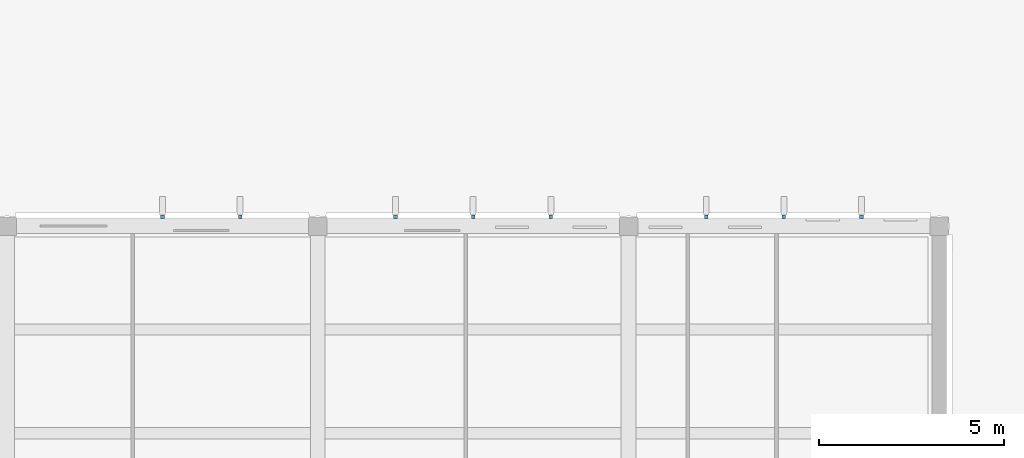
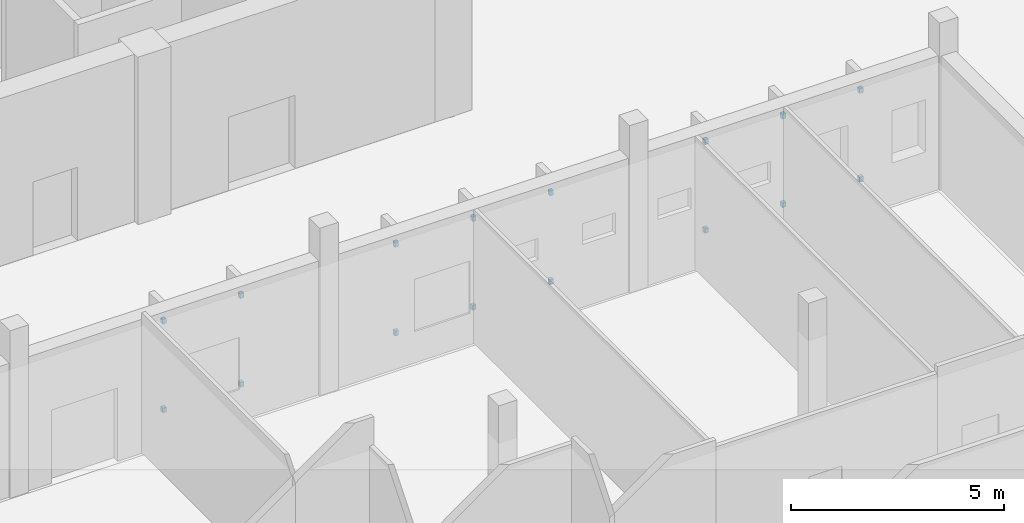
# One storey, part 73 of 110: 16 discrete accessories.
"""IFC4 building model written with IfcOpenShell, lengths in metres."""

import ifcopenshell
import ifcopenshell.guid

model = None  # the IFC model being written
_history = None  # IfcOwnerHistory: only IFC2X3 demands one
_inside = {}  # id of a spatial element -> (the spatial element, [elements in it])
_under = {}  # id of a project, library or spatial element -> (it, [spatial elements below it])
_declared = {}  # id of a project -> (the project, [libraries it declares])
_typed = {}  # id of a type object -> (the type object, [elements of that type])
_made_of = {}  # id of a material, layer set ... -> (it, [elements and type objects made of it])


def new_model(schema):
    """Start an empty IFC model of exactly this schema.

    Asked for "IFC4X3", IfcOpenShell would pick the latest addendum, in which some entities
    have other attributes; the version numbers below select the first issue.
    IFC2X3 requires an IfcOwnerHistory on every rooted entity: one is made here for all.
    """
    global model, _history
    if schema == "IFC4X3":
        model = ifcopenshell.file(schema_version=(4, 3, 0, 0))
    else:
        model = ifcopenshell.file(schema=schema)
    _inside.clear()
    _under.clear()
    _declared.clear()
    _typed.clear()
    _made_of.clear()
    _history = None
    if model.schema == "IFC2X3":
        org = make("IfcOrganization", Name="unknown")
        user = make(
            "IfcPersonAndOrganization",
            ThePerson=make("IfcPerson", FamilyName="unknown"),
            TheOrganization=org,
        )
        app = make(
            "IfcApplication",
            ApplicationDeveloper=org,
            Version="unknown",
            ApplicationFullName="unknown",
            ApplicationIdentifier="unknown",
        )
        _history = make(
            "IfcOwnerHistory",
            OwningUser=user,
            OwningApplication=app,
            ChangeAction="ADDED",
            CreationDate=0,
        )
    return model


def make(cls, **values):
    """One entity of the class cls with the attributes given. An attribute that is None is left unset."""
    return model.create_entity(
        cls, **{name: value for name, value in values.items() if value is not None}
    )


def rooted(cls, **values):
    """An entity with a GlobalId (a new one), such as an element, a storey or a relation."""
    return make(cls, GlobalId=ifcopenshell.guid.new(), OwnerHistory=_history, **values)


def si_unit(unit_type, name, prefix=None):
    """IfcSIUnit, for example si_unit("LENGTHUNIT", "METRE", prefix="MILLI")."""
    return make("IfcSIUnit", UnitType=unit_type, Prefix=prefix, Name=name)


def assignment(units):
    """IfcUnitAssignment: the units of a project."""
    return None if units is None else make("IfcUnitAssignment", Units=units)


def point(xyz):
    """IfcCartesianPoint."""
    return None if xyz is None else make("IfcCartesianPoint", Coordinates=xyz)


def direction(xyz):
    """IfcDirection."""
    return None if xyz is None else make("IfcDirection", DirectionRatios=xyz)


def frame(location, z_axis=None, x_axis=None):
    """IfcAxis2Placement3D, a coordinate frame: its origin and axes. An axis left out is left unset."""
    return make(
        "IfcAxis2Placement3D",
        Location=point(location),
        Axis=direction(z_axis),
        RefDirection=direction(x_axis),
    )


def frame_2d(location, x_axis=None):
    """IfcAxis2Placement2D, a coordinate frame in the plane: its origin and x axis."""
    return make(
        "IfcAxis2Placement2D", Location=point(location), RefDirection=direction(x_axis)
    )


def origin():
    """The frame at (0, 0, 0) with its axes left unset."""
    return frame((0.0, 0.0, 0.0))


def origin_2d():
    """The frame at (0, 0) in the plane with its x axis left unset."""
    return frame_2d((0.0, 0.0))


def place(relative_to, where):
    """IfcLocalPlacement: puts the frame where relative to a parent placement (None: the world)."""
    return make(
        "IfcLocalPlacement", PlacementRelTo=relative_to, RelativePlacement=where
    )


def context(
    kind, dimensions, precision=None, world=None, true_north=None, identifier=None
):
    """IfcGeometricRepresentationContext, for example the 3D "Model" context."""
    return make(
        "IfcGeometricRepresentationContext",
        ContextIdentifier=identifier,
        ContextType=kind,
        CoordinateSpaceDimension=dimensions,
        Precision=precision,
        WorldCoordinateSystem=world,
        TrueNorth=true_north,
    )


def subcontext(parent, identifier, kind, view, scale=None):
    """IfcGeometricRepresentationSubContext, for example "Body" below "Model"."""
    return make(
        "IfcGeometricRepresentationSubContext",
        ContextIdentifier=identifier,
        ContextType=kind,
        ParentContext=parent,
        TargetScale=scale,
        TargetView=view,
    )


def project(units=None, contexts=None):
    """IfcProject with its units and contexts."""
    return rooted(
        "IfcProject",
        Name="project",
        RepresentationContexts=contexts,
        UnitsInContext=assignment(units),
    )


def spatial(cls, under=None, at=None, **own):
    """A site, building, storey or space (cls), placed at a placement, below another one or the project."""
    s = rooted(cls, ObjectPlacement=at, **own)
    if under is not None:
        _under.setdefault(under.id(), (under, []))[1].append(s)
    return s


def profile(cls, at=None, kind="AREA", **sizes):
    """A parametric profile (cls). Its sizes go by their IFC names, for example OverallWidth=200.0."""
    return make(cls, ProfileType=kind, Position=at, **sizes)


def rectangle(**sizes):
    """IfcRectangleProfileDef."""
    return profile("IfcRectangleProfileDef", **sizes)


def extrude(swept, where, along, depth):
    """IfcExtrudedAreaSolid: the profile swept, set in the frame where, extruded along a direction by depth."""
    return make(
        "IfcExtrudedAreaSolid",
        SweptArea=swept,
        Position=where,
        ExtrudedDirection=direction(along),
        Depth=depth,
    )


def shape(context_of_items, identifier, shape_type, items):
    """IfcShapeRepresentation: the items that make up one representation, for example the "Body"."""
    return make(
        "IfcShapeRepresentation",
        ContextOfItems=context_of_items,
        RepresentationIdentifier=identifier,
        RepresentationType=shape_type,
        Items=items,
    )


def material(Name=None, Category=None):
    """IfcMaterial."""
    return make("IfcMaterial", Name=Name, Category=Category)


def layer(
    of_material, thickness, ventilated=None, Name=None, Category=None, Priority=None
):
    """IfcMaterialLayer: one layer of a wall or slab, of a material (None: an air gap)."""
    return make(
        "IfcMaterialLayer",
        Material=of_material,
        LayerThickness=thickness,
        IsVentilated=ventilated,
        Name=Name,
        Category=Category,
        Priority=Priority,
    )


def layer_set(layers, Name=None):
    """IfcMaterialLayerSet."""
    return make("IfcMaterialLayerSet", MaterialLayers=layers, LayerSetName=Name)


def made_of(thing, what):
    """Note that an element or type object is made of a material, layer set ...; save() writes the relation."""
    if what is not None:
        _made_of.setdefault(what.id(), (what, []))[1].append(thing)
    return thing


def type_object(cls, material=None, **own):
    """A type object (cls), such as IfcWallType, which elements share."""
    return made_of(rooted(cls, **own), material)


def element(
    cls,
    number,
    at=None,
    inside=None,
    cuts=None,
    type_object=None,
    material=None,
    context=None,
    identifier="Body",
    shape_type=None,
    held_by="IfcProductDefinitionShape",
    body=None,
    shapes=None,
    **own,
):
    """One element of the class cls, such as IfcWall. Its Tag is "e" and its number.

    at: its placement. inside: the storey or other place that contains it. cuts: it is an
    opening in that element (IfcRelVoidsElement). A single representation is given by context,
    identifier, shape_type and body (its items); several are given by shapes. held_by: the class
    of the entity that holds the representations. save() writes the other relations.
    """
    e = rooted(cls, Tag="e%d" % number, ObjectPlacement=at, **own)
    if body is not None:
        shapes = [shape(context, identifier, shape_type, body)]
    if shapes is not None:
        e.Representation = make(held_by, Representations=shapes)
    if inside is not None:
        _inside.setdefault(inside.id(), (inside, []))[1].append(e)
    if cuts is not None:
        rooted(
            "IfcRelVoidsElement", RelatingBuildingElement=cuts, RelatedOpeningElement=e
        )
    if type_object is not None:
        _typed.setdefault(type_object.id(), (type_object, []))[1].append(e)
    return made_of(e, material)


def aggregate(whole, parts):
    """IfcRelAggregates: a whole, such as a stair, and the parts it consists of."""
    return rooted("IfcRelAggregates", RelatingObject=whole, RelatedObjects=parts)


def save(model, path):
    """Write the relations noted so far, then the file.

    IfcRelAggregates (storeys below a building ...), IfcRelContainedInSpatialStructure (elements
    in a storey), IfcRelDefinesByType, IfcRelAssociatesMaterial and IfcRelDeclares: one each for
    every whole, place, type object, material and project.
    """
    for whole, parts in _under.values():
        aggregate(whole, parts)
    for where, things in _inside.values():
        rooted(
            "IfcRelContainedInSpatialStructure",
            RelatedElements=things,
            RelatingStructure=where,
        )
    for kind, things in _typed.values():
        rooted("IfcRelDefinesByType", RelatedObjects=things, RelatingType=kind)
    for what, things in _made_of.values():
        rooted("IfcRelAssociatesMaterial", RelatedObjects=things, RelatingMaterial=what)
    for by, libraries in _declared.values():
        rooted("IfcRelDeclares", RelatingContext=by, RelatedDefinitions=libraries)
    model.write(path)


model = new_model("IFC4")

# Units and contexts
model_context = context("Model", 3, precision=1e-05, world=origin(), true_north=direction((0.0, 1.0)))
body_context = subcontext(model_context, "Body", "Model", "MODEL_VIEW")
ifc_project = project(units=[si_unit("LENGTHUNIT", "METRE"), si_unit("AREAUNIT", "SQUARE_METRE"), si_unit("VOLUMEUNIT", "CUBIC_METRE"), si_unit("PLANEANGLEUNIT", "RADIAN"), si_unit("MASSUNIT", "GRAM", prefix="KILO")], contexts=[model_context])

# Site, building, storey
site_placement = place(None, origin())
site = spatial("IfcSite", under=ifc_project, at=site_placement, CompositionType="ELEMENT")
building_placement = place(site_placement, origin())
building = spatial("IfcBuilding", under=site, at=building_placement, Name="Larchfold Concert Hall", CompositionType="ELEMENT")
storey_placement = place(building_placement, origin())
storey = spatial("IfcBuildingStorey", under=building, at=storey_placement, Name="L00", CompositionType="ELEMENT", Elevation=0.0)

# Discrete accessories
ifc_material = material(Name="Steel S355 galvanised bracket", Category="steel")
ifc_layer = layer(ifc_material, 0.10009765625)
ifc_layer_set = layer_set([ifc_layer], Name="Steel S355 galvanised bracket")
discrete_accessory_type = type_object("IfcDiscreteAccessoryType", Name="Fin support bracket", PredefinedType="BRACKET", material=ifc_layer_set)
for number, where, z_axis, x_axis, name in (
    (1, (53.10009765625, 26.050048828125, 0.6298828125), (0.0, 0.0, 1.0), (0.0, 1.0, 0.0), "Fin bracket FN-L00-001-1"),
    (2, (53.10009765625, 26.050048828125, 3.169921875), (0.0, 0.0, 1.0), (0.0, 1.0, 0.0), "Fin bracket FN-L00-001-2"),
    (3, (55.199951171875, 26.050048828125, 0.6298828125), (0.0, 0.0, 1.0), (0.0, 1.0, 0.0), "Fin bracket FN-L00-002-1"),
    (4, (55.199951171875, 26.050048828125, 3.169921875), (0.0, 0.0, 1.0), (0.0, 1.0, 0.0), "Fin bracket FN-L00-002-2"),
    (5, (57.300048828125, 26.050048828125, 0.6298828125), (0.0, 0.0, 1.0), (0.0, 1.0, 0.0), "Fin bracket FN-L00-003-1"),
    (6, (57.300048828125, 26.050048828125, 3.169921875), (0.0, 0.0, 1.0), (0.0, 1.0, 0.0), "Fin bracket FN-L00-003-2"),
    (7, (44.699951171875, 26.050048828125, 0.6298828125), (0.0, 0.0, 1.0), (0.0, 1.0, 0.0), "Fin bracket FN-L00-004-1"),
    (8, (44.699951171875, 26.050048828125, 3.169921875), (0.0, 0.0, 1.0), (0.0, 1.0, 0.0), "Fin bracket FN-L00-004-2"),
    (9, (46.800048828125, 26.050048828125, 0.6298828125), (0.0, 0.0, 1.0), (0.0, 1.0, 0.0), "Fin bracket FN-L00-005-1"),
    (10, (46.800048828125, 26.050048828125, 3.169921875), (0.0, 0.0, 1.0), (0.0, 1.0, 0.0), "Fin bracket FN-L00-005-2"),
    (11, (48.89990234375, 26.050048828125, 0.6298828125), (0.0, 0.0, 1.0), (0.0, 1.0, 0.0), "Fin bracket FN-L00-006-1"),
    (12, (48.89990234375, 26.050048828125, 3.169921875), (0.0, 0.0, 1.0), (0.0, 1.0, 0.0), "Fin bracket FN-L00-006-2"),
    (13, (38.39990234375, 26.050048828125, 0.6298828125), (0.0, 0.0, 1.0), (0.0, 1.0, 0.0), "Fin bracket FN-L00-007-1"),
    (14, (38.39990234375, 26.050048828125, 3.169921875), (0.0, 0.0, 1.0), (0.0, 1.0, 0.0), "Fin bracket FN-L00-007-2"),
    (15, (40.5, 26.050048828125, 0.6298828125), (0.0, 0.0, 1.0), (0.0, 1.0, 0.0), "Fin bracket FN-L00-008-1"),
    (16, (40.5, 26.050048828125, 3.169921875), (0.0, 0.0, 1.0), (0.0, 1.0, 0.0), "Fin bracket FN-L00-008-2"),
):
    element("IfcDiscreteAccessory", number, at=place(storey_placement, frame(where, z_axis=z_axis, x_axis=x_axis)), inside=storey, type_object=discrete_accessory_type, Name=name, PredefinedType="BRACKET", context=body_context, shape_type="SweptSolid", body=[
        extrude(rectangle(XDim=0.10009765625, YDim=0.10009765625, at=origin_2d()), origin(), (0.0, 0.0, 1.0), 0.139892578125),
    ])

save(model, "model.ifc")
